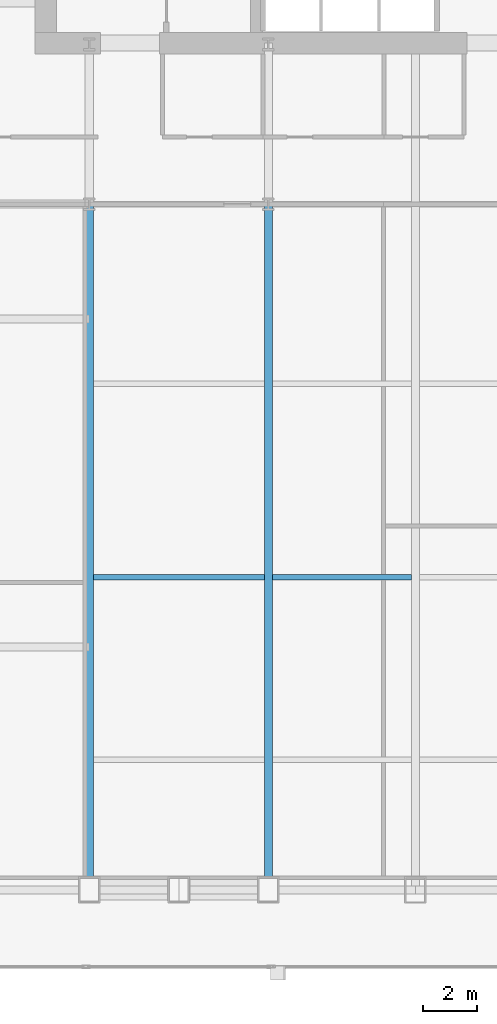
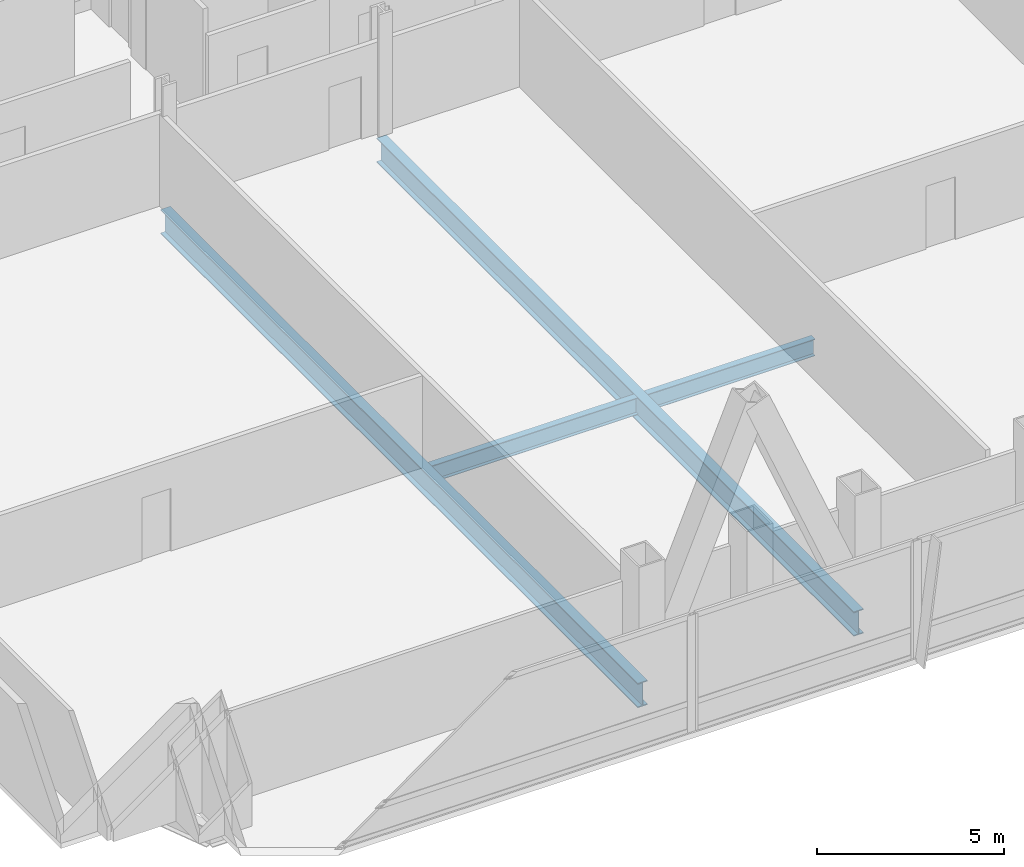
# One storey, part 9 of 33: 4 beams.
"""IFC4 building model written with IfcOpenShell, lengths in metres."""

from ifc_helpers import new_model, si_unit, direction, frame, origin, origin_2d, place, context, subcontext, project, spatial, i_section, extrude, material, material_profile, profile_set, type_object, element, save


model = new_model("IFC4")

# Units and contexts
model_context = context("Model", 3, precision=1e-05, world=origin(), true_north=direction((0.0, 1.0)))
body_context = subcontext(model_context, "Body", "Model", "MODEL_VIEW")
ifc_project = project(units=[si_unit("LENGTHUNIT", "METRE"), si_unit("AREAUNIT", "SQUARE_METRE"), si_unit("VOLUMEUNIT", "CUBIC_METRE"), si_unit("PLANEANGLEUNIT", "RADIAN"), si_unit("MASSUNIT", "GRAM", prefix="KILO")], contexts=[model_context])

# Site, building, storey
site_placement = place(None, origin())
site = spatial("IfcSite", under=ifc_project, at=site_placement, CompositionType="ELEMENT")
building_placement = place(site_placement, origin())
building = spatial("IfcBuilding", under=site, at=building_placement, Name="Khoronbel Lancet Exchange", CompositionType="ELEMENT")
storey_placement = place(building_placement, frame((0.0, 0.0, 73.800048828125)))
storey = spatial("IfcBuildingStorey", under=building, at=storey_placement, Name="L17", CompositionType="ELEMENT", Elevation=73.800048828125)

# Beams
ifc_material = material(Name="Steel S355", Category="steel")
ifc_material_profile_1 = material_profile(ifc_material, i_section(OverallWidth=0.300048828125, OverallDepth=0.800048828125, WebThickness=0.017578125, FlangeThickness=0.032958984375, at=origin_2d()), Name="HEB 800")
ifc_profile_set_1 = profile_set([ifc_material_profile_1], Name="Steel S355")
beam_type_1 = type_object("IfcBeamType", Name="BM-BG2", PredefinedType="BEAM", material=ifc_profile_set_1)
for number, where, z_axis, x_axis, name in (
    (1, (18.22509765625, 10.14990234375, -0.580078125), (0.0, 1.0, 0.0), (-1.0, 0.0, 0.0), "Level L17 south primary girder GS1"),
    (2, (24.89990234375, 10.14990234375, -0.580078125), (0.0, 1.0, 0.0), (-1.0, 0.0, 0.0), "Level L17 south primary girder GS2"),
):
    element("IfcBeam", number, at=place(storey_placement, frame(where, z_axis=z_axis, x_axis=x_axis)), inside=storey, type_object=beam_type_1, Name=name, PredefinedType="BEAM", context=body_context, shape_type="SweptSolid", body=[
        extrude(i_section(OverallWidth=0.300048828125, OverallDepth=0.800048828125, WebThickness=0.017578125, FlangeThickness=0.032958984375, at=origin_2d()), origin(), (0.0, 0.0, 1.0), 25.550048828125),
    ])
ifc_material_profile_2 = material_profile(ifc_material, i_section(OverallWidth=0.2099609375, OverallDepth=0.550048828125, WebThickness=0.010986328125, FlangeThickness=0.01708984375, at=origin_2d()), Name="IPE 550")
ifc_profile_set_2 = profile_set([ifc_material_profile_2], Name="Steel S355")
beam_type_2 = type_object("IfcBeamType", Name="BM-BJ2", PredefinedType="JOIST", material=ifc_profile_set_2)
beam_1_placement = place(storey_placement, frame((18.375, 21.800048828125, -0.455078125), z_axis=(1.0, 0.0, 0.0), x_axis=(0.0, 1.0, 0.0)))
element("IfcBeam", 3, at=beam_1_placement, inside=storey, type_object=beam_type_2, Name="Level L17 secondary composite joist J06", PredefinedType="JOIST", context=body_context, shape_type="SweptSolid", body=[
    extrude(i_section(OverallWidth=0.2099609375, OverallDepth=0.550048828125, WebThickness=0.010986328125, FlangeThickness=0.01708984375, at=origin_2d()), origin(), (0.0, 0.0, 1.0), 6.375),
])
beam_2_placement = place(storey_placement, frame((25.050048828125, 21.800048828125, -0.455078125), z_axis=(1.0, 0.0, 0.0), x_axis=(0.0, 1.0, 0.0)))
element("IfcBeam", 4, at=beam_2_placement, inside=storey, type_object=beam_type_2, Name="Level L17 secondary composite joist J07", PredefinedType="JOIST", context=body_context, shape_type="SweptSolid", body=[
    extrude(i_section(OverallWidth=0.2099609375, OverallDepth=0.550048828125, WebThickness=0.010986328125, FlangeThickness=0.01708984375, at=origin_2d()), origin(), (0.0, 0.0, 1.0), 5.175048828125),
])

save(model, "model.ifc")
